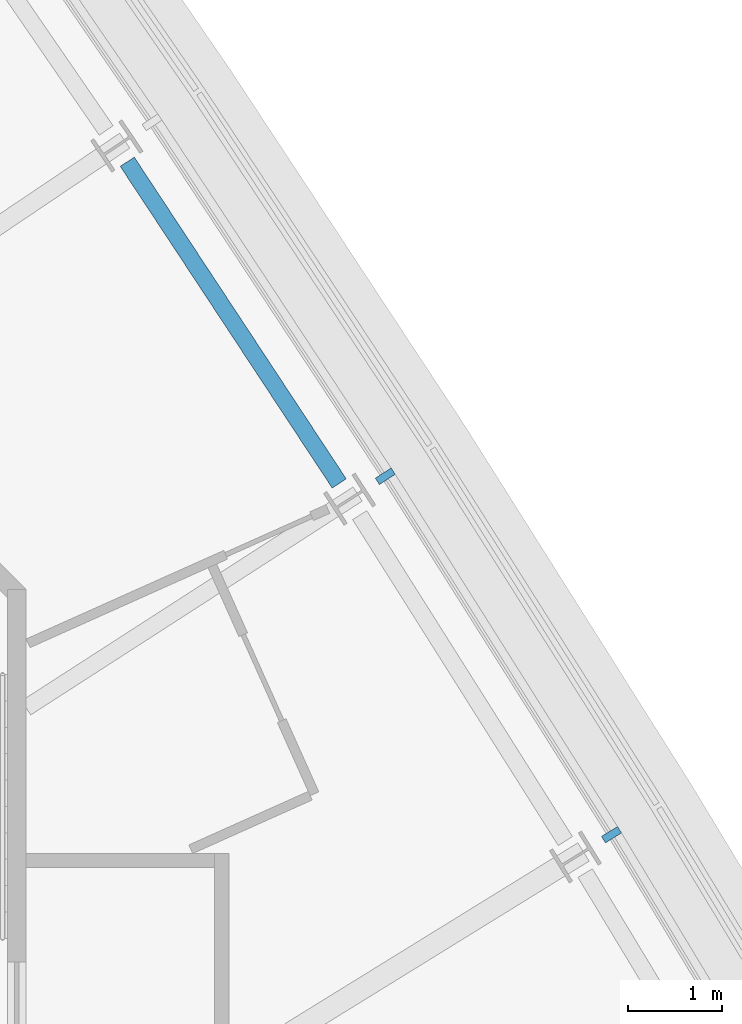
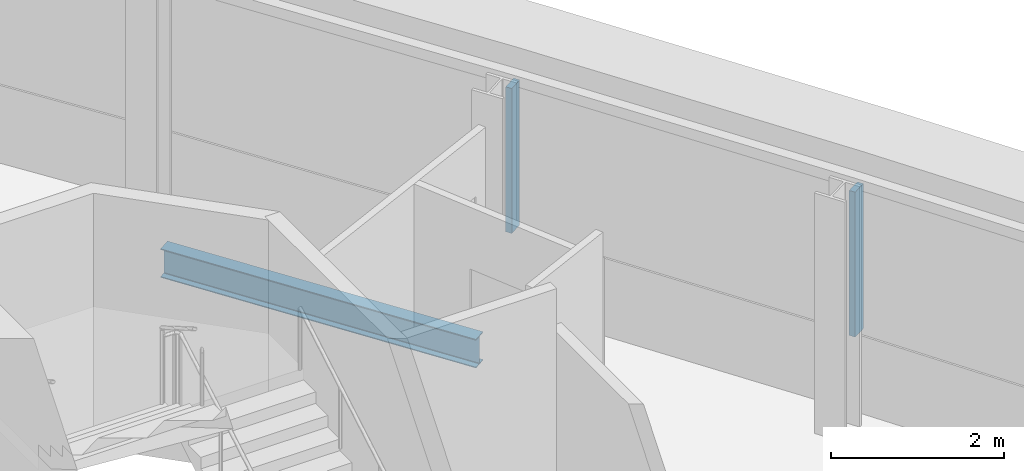
# One storey, part 9 of 17: 2 members, 1 beam, 1 element without a shape of its own.
"""IFC4 building model written with IfcOpenShell, lengths in metres."""

from ifc_helpers import new_model, si_unit, direction, frame, origin, origin_2d, place, context, subcontext, project, spatial, rectangle, i_section, extrude, material, material_profile, profile_set, type_object, element, aggregate, save


model = new_model("IFC4")

# Units and contexts
model_context = context("Model", 3, precision=1e-05, world=origin(), true_north=direction((0.0, 1.0)))
body_context = subcontext(model_context, "Body", "Model", "MODEL_VIEW")
ifc_project = project(units=[si_unit("LENGTHUNIT", "METRE"), si_unit("AREAUNIT", "SQUARE_METRE"), si_unit("VOLUMEUNIT", "CUBIC_METRE"), si_unit("PLANEANGLEUNIT", "RADIAN"), si_unit("MASSUNIT", "GRAM", prefix="KILO")], contexts=[model_context])

# Site, building, storey
site_placement = place(None, origin())
site = spatial("IfcSite", under=ifc_project, at=site_placement, CompositionType="ELEMENT")
building_placement = place(site_placement, origin())
building = spatial("IfcBuilding", under=site, at=building_placement, Name="Noor Cloister Tower", CompositionType="ELEMENT")
storey_placement = place(building_placement, frame((0.0, 0.0, 95.10009765625)))
storey = spatial("IfcBuildingStorey", under=building, at=storey_placement, Name="L24", CompositionType="ELEMENT", Elevation=95.10009765625)

# Curtain wall, members
ifc_material_1 = material(Name="Aluminium 6063-T6 anodised", Category="aluminium")
curtain_wall_type = type_object("IfcCurtainWallType", Name="Ribbon curtain wall, lower tower CW1", PredefinedType="NOTDEFINED", material=ifc_material_1)
curtain_wall_placement = place(storey_placement, origin())
curtain_wall = element("IfcCurtainWall", 1, at=curtain_wall_placement, inside=storey, type_object=curtain_wall_type, Name="CW1 L24 NE run 4", PredefinedType="NOTDEFINED")
ifc_material_2 = material(Name="Aluminium 6063-T6 anodised", Category="aluminium")
ifc_material_profile_1 = material_profile(ifc_material_2, rectangle(XDim=0.199951171875, YDim=0.080078125, at=origin_2d()), Name="200 x 80 mullion")
ifc_profile_set_1 = profile_set([ifc_material_profile_1], Name="Aluminium 6063-T6 anodised")
member_type = type_object("IfcMemberType", Name="Mullion CW1 80 x 200", PredefinedType="MULLION", material=ifc_profile_set_1)
member_1_placement = place(storey_placement, frame((11.546875, 14.456298828125, 1.099853515625), z_axis=(0.0, 0.0, 1.0), x_axis=(-0.850887652489, -0.525347697094, 0.0)))
member_1 = element("IfcMember", 2, at=member_1_placement, type_object=member_type, Name="CW1 mullion 7", PredefinedType="MULLION", context=body_context, shape_type="SweptSolid", body=[
    extrude(rectangle(XDim=0.199951171875, YDim=0.080078125, at=origin_2d()), origin(), (0.0, 0.0, 1.0), 2.050048828125),
])
member_2_placement = place(storey_placement, frame((9.146240234375, 18.260009765625, 1.099853515625), z_axis=(0.0, 0.0, 1.0), x_axis=(-0.840382937583, -0.541993097945, 0.0)))
member_2 = element("IfcMember", 3, at=member_2_placement, type_object=member_type, Name="CW1 mullion 8", PredefinedType="MULLION", context=body_context, shape_type="SweptSolid", body=[
    extrude(rectangle(XDim=0.199951171875, YDim=0.080078125, at=origin_2d()), origin(), (0.0, 0.0, 1.0), 2.050048828125),
])
aggregate(curtain_wall, [member_1, member_2])

# Beam
ifc_material_3 = material(Name="Steel ASTM A992 Gr 50", Category="steel")
ifc_material_profile_2 = material_profile(ifc_material_3, i_section(OverallWidth=0.177978515625, OverallDepth=0.406005859375, WebThickness=0.0078125, FlangeThickness=0.0126953125, FilletRadius=0.01025390625, at=origin_2d()), Name="W410x60")
ifc_profile_set_2 = profile_set([ifc_material_profile_2], Name="Steel ASTM A992 Gr 50")
beam_type = type_object("IfcBeamType", Name="Spandrel beam W410x60", PredefinedType="SPANDREL", material=ifc_profile_set_2)
beam_placement = place(storey_placement, frame((8.65771484375, 18.18359375, -0.403076171875), z_axis=(-0.550254695105, 0.834996868566, 0.0), x_axis=(-0.834996868566, -0.550254695105, 0.0)))
element("IfcBeam", 4, at=beam_placement, inside=storey, type_object=beam_type, Name="Spandrel beam NE 08 L24", PredefinedType="SPANDREL", context=body_context, shape_type="SweptSolid", body=[
    extrude(i_section(OverallWidth=0.177978515625, OverallDepth=0.406005859375, WebThickness=0.0078125, FlangeThickness=0.0126953125, FilletRadius=0.01025390625, at=origin_2d()), origin(), (0.0, 0.0, 1.0), 4.088134765625),
])

save(model, "model.ifc")
